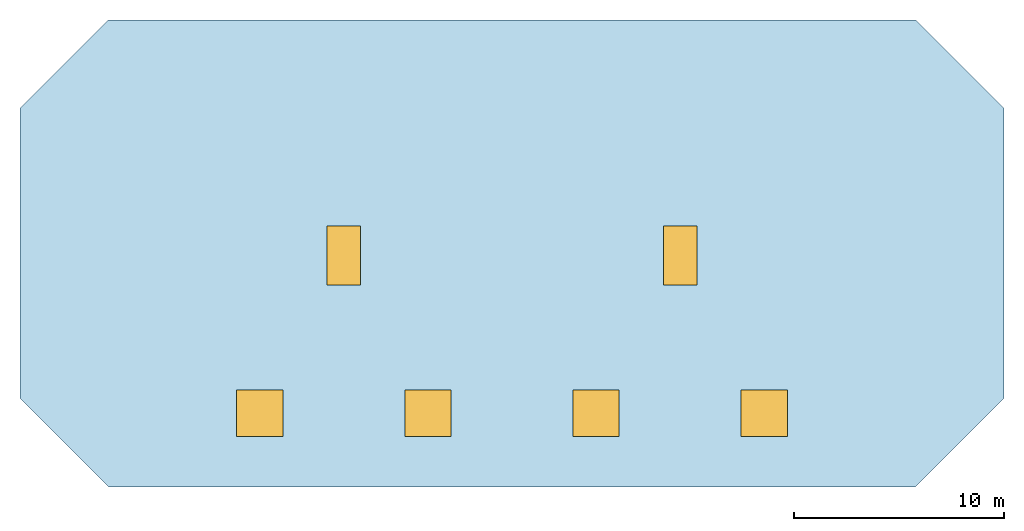
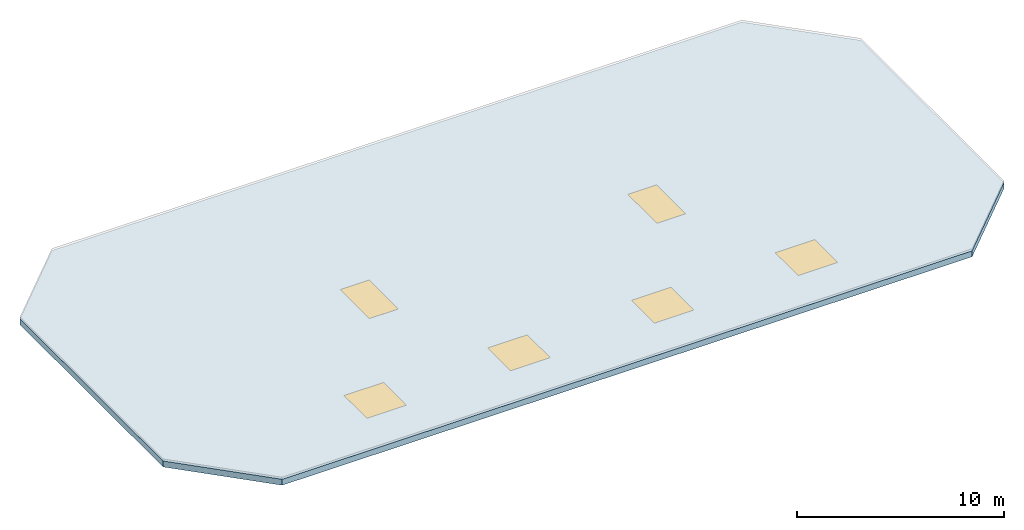
# One storey, part 1 of 2: 6 windows, 1 slab, 6 openings.
"""IFC4 building model written with IfcOpenShell, lengths in metres."""

from ifc_helpers import new_model, si_unit, direction, frame, origin, origin_2d, place, context, subcontext, project, spatial, polyline, rectangle, outline, extrude, material, layer, layer_set, type_object, element, fill, save


model = new_model("IFC4")

# Units and contexts
model_context = context("Model", 3, precision=1e-05, world=origin(), true_north=direction((0.0, 1.0)))
body_context = subcontext(model_context, "Body", "Model", "MODEL_VIEW")
ifc_project = project(units=[si_unit("LENGTHUNIT", "METRE"), si_unit("AREAUNIT", "SQUARE_METRE"), si_unit("VOLUMEUNIT", "CUBIC_METRE"), si_unit("PLANEANGLEUNIT", "RADIAN"), si_unit("MASSUNIT", "GRAM", prefix="KILO")], contexts=[model_context])

# Site, building, storey
site_placement = place(None, origin())
site = spatial("IfcSite", under=ifc_project, at=site_placement, CompositionType="ELEMENT")
building_placement = place(site_placement, origin())
building = spatial("IfcBuilding", under=site, at=building_placement, Name="Kestravale Grand Hotel", CompositionType="ELEMENT")
storey_placement = place(building_placement, frame((0.0, 0.0, 332.35009765625)))
storey = spatial("IfcBuildingStorey", under=building, at=storey_placement, Name="Crown Roof", CompositionType="ELEMENT", Elevation=332.35009765625)

# Slab, openings, windows
ifc_material_1 = material(Name="Concrete f'c 45 MPa", Category="concrete")
ifc_layer = layer(ifc_material_1, 0.35009765625)
ifc_layer_set = layer_set([ifc_layer], Name="ES-ROOF-350")
slab_type = type_object("IfcSlabType", Name="ES-ROOF-350", PredefinedType="ROOF", material=ifc_layer_set)
slab_placement = place(storey_placement, origin())
slab = element("IfcSlab", 1, at=slab_placement, inside=storey, type_object=slab_type, Name="Roof sky-garden sheltered canopy slab", PredefinedType="ROOF", context=body_context, shape_type="SweptSolid", body=[
    extrude(outline(polyline([(19.800048828125, 20.0), (58.199951171875, 20.0), (62.39990234375, 24.199951171875), (62.39990234375, 38.0), (58.199951171875, 42.199951171875), (19.800048828125, 42.199951171875), (15.60009765625, 38.0), (15.60009765625, 24.199951171875), (19.800048828125, 20.0)])), origin(), (0.0, 0.0, 1.0), 0.349853515625),
])
opening_1_placement = place(slab_placement, frame((27.0, 23.5, -0.010009765625)))
opening_1 = element("IfcOpeningElement", 2, at=opening_1_placement, cuts=slab, Name="Opening W-SKY-SKYL1", PredefinedType="OPENING", context=body_context, shape_type="SweptSolid", body=[
    extrude(rectangle(XDim=2.199951171875, YDim=2.199951171875, at=origin_2d()), origin(), (0.0, 0.0, 1.0), 0.369873046875),
])
opening_2_placement = place(slab_placement, frame((35.0, 23.5, -0.010009765625)))
opening_2 = element("IfcOpeningElement", 3, at=opening_2_placement, cuts=slab, Name="Opening W-SKY-SKYL1", PredefinedType="OPENING", context=body_context, shape_type="SweptSolid", body=[
    extrude(rectangle(XDim=2.199951171875, YDim=2.199951171875, at=origin_2d()), origin(), (0.0, 0.0, 1.0), 0.369873046875),
])
opening_3_placement = place(slab_placement, frame((43.0, 23.5, -0.010009765625)))
opening_3 = element("IfcOpeningElement", 4, at=opening_3_placement, cuts=slab, Name="Opening W-SKY-SKYL1", PredefinedType="OPENING", context=body_context, shape_type="SweptSolid", body=[
    extrude(rectangle(XDim=2.199951171875, YDim=2.199951171875, at=origin_2d()), origin(), (0.0, 0.0, 1.0), 0.369873046875),
])
opening_4_placement = place(slab_placement, frame((51.0, 23.5, -0.010009765625)))
opening_4 = element("IfcOpeningElement", 5, at=opening_4_placement, cuts=slab, Name="Opening W-SKY-SKYL1", PredefinedType="OPENING", context=body_context, shape_type="SweptSolid", body=[
    extrude(rectangle(XDim=2.199951171875, YDim=2.199951171875, at=origin_2d()), origin(), (0.0, 0.0, 1.0), 0.369873046875),
])
opening_5_placement = place(slab_placement, frame((31.0, 31.0, -0.010009765625)))
opening_5 = element("IfcOpeningElement", 6, at=opening_5_placement, cuts=slab, Name="Opening W-SKY-SKYL2", PredefinedType="OPENING", context=body_context, shape_type="SweptSolid", body=[
    extrude(rectangle(XDim=1.60009765625, YDim=2.800048828125, at=origin_2d()), origin(), (0.0, 0.0, 1.0), 0.369873046875),
])
opening_6_placement = place(slab_placement, frame((47.0, 31.0, -0.010009765625)))
opening_6 = element("IfcOpeningElement", 7, at=opening_6_placement, cuts=slab, Name="Opening W-SKY-SKYL2", PredefinedType="OPENING", context=body_context, shape_type="SweptSolid", body=[
    extrude(rectangle(XDim=1.60009765625, YDim=2.800048828125, at=origin_2d()), origin(), (0.0, 0.0, 1.0), 0.369873046875),
])
ifc_material_2 = material(Name="Insulated low-E double glazing in aluminium frame", Category="aluminium")
window_type_1 = type_object("IfcWindowType", Name="W-SKY-SKYL1", PartitioningType="SINGLE_PANEL", PredefinedType="SKYLIGHT", material=ifc_material_2)
window_1_placement = place(opening_1_placement, frame((0.0, 0.0, 0.309814453125)))
window_1 = element("IfcWindow", 8, at=window_1_placement, inside=storey, type_object=window_type_1, Name="Sky-garden canopy glass skylight 1", OverallHeight=2.199951171875, OverallWidth=2.199951171875, PartitioningType="SINGLE_PANEL", PredefinedType="SKYLIGHT", context=body_context, shape_type="SweptSolid", body=[
    extrude(rectangle(XDim=2.199951171875, YDim=2.199951171875, at=origin_2d()), origin(), (0.0, 0.0, 1.0), 0.050048828125),
])
fill(opening_1, window_1)
window_2_placement = place(opening_2_placement, frame((0.0, 0.0, 0.309814453125)))
window_2 = element("IfcWindow", 9, at=window_2_placement, inside=storey, type_object=window_type_1, Name="Sky-garden canopy glass skylight 2", OverallHeight=2.199951171875, OverallWidth=2.199951171875, PartitioningType="SINGLE_PANEL", PredefinedType="SKYLIGHT", context=body_context, shape_type="SweptSolid", body=[
    extrude(rectangle(XDim=2.199951171875, YDim=2.199951171875, at=origin_2d()), origin(), (0.0, 0.0, 1.0), 0.050048828125),
])
fill(opening_2, window_2)
window_3_placement = place(opening_3_placement, frame((0.0, 0.0, 0.309814453125)))
window_3 = element("IfcWindow", 10, at=window_3_placement, inside=storey, type_object=window_type_1, Name="Sky-garden canopy glass skylight 3", OverallHeight=2.199951171875, OverallWidth=2.199951171875, PartitioningType="SINGLE_PANEL", PredefinedType="SKYLIGHT", context=body_context, shape_type="SweptSolid", body=[
    extrude(rectangle(XDim=2.199951171875, YDim=2.199951171875, at=origin_2d()), origin(), (0.0, 0.0, 1.0), 0.050048828125),
])
fill(opening_3, window_3)
window_4_placement = place(opening_4_placement, frame((0.0, 0.0, 0.309814453125)))
window_4 = element("IfcWindow", 11, at=window_4_placement, inside=storey, type_object=window_type_1, Name="Sky-garden canopy glass skylight 4", OverallHeight=2.199951171875, OverallWidth=2.199951171875, PartitioningType="SINGLE_PANEL", PredefinedType="SKYLIGHT", context=body_context, shape_type="SweptSolid", body=[
    extrude(rectangle(XDim=2.199951171875, YDim=2.199951171875, at=origin_2d()), origin(), (0.0, 0.0, 1.0), 0.050048828125),
])
fill(opening_4, window_4)
ifc_material_3 = material(Name="Insulated low-E double glazing in aluminium frame", Category="aluminium")
window_type_2 = type_object("IfcWindowType", Name="W-SKY-SKYL2", PartitioningType="SINGLE_PANEL", PredefinedType="SKYLIGHT", material=ifc_material_3)
window_5_placement = place(opening_5_placement, frame((0.0, 0.0, 0.309814453125)))
window_5 = element("IfcWindow", 12, at=window_5_placement, inside=storey, type_object=window_type_2, Name="Sky-garden canopy glass skylight 5", OverallHeight=2.800048828125, OverallWidth=1.60009765625, PartitioningType="SINGLE_PANEL", PredefinedType="SKYLIGHT", context=body_context, shape_type="SweptSolid", body=[
    extrude(rectangle(XDim=1.60009765625, YDim=2.800048828125, at=origin_2d()), origin(), (0.0, 0.0, 1.0), 0.050048828125),
])
fill(opening_5, window_5)
window_6_placement = place(opening_6_placement, frame((0.0, 0.0, 0.309814453125)))
window_6 = element("IfcWindow", 13, at=window_6_placement, inside=storey, type_object=window_type_2, Name="Sky-garden canopy glass skylight 6", OverallHeight=2.800048828125, OverallWidth=1.60009765625, PartitioningType="SINGLE_PANEL", PredefinedType="SKYLIGHT", context=body_context, shape_type="SweptSolid", body=[
    extrude(rectangle(XDim=1.60009765625, YDim=2.800048828125, at=origin_2d()), origin(), (0.0, 0.0, 1.0), 0.050048828125),
])
fill(opening_6, window_6)

save(model, "model.ifc")
